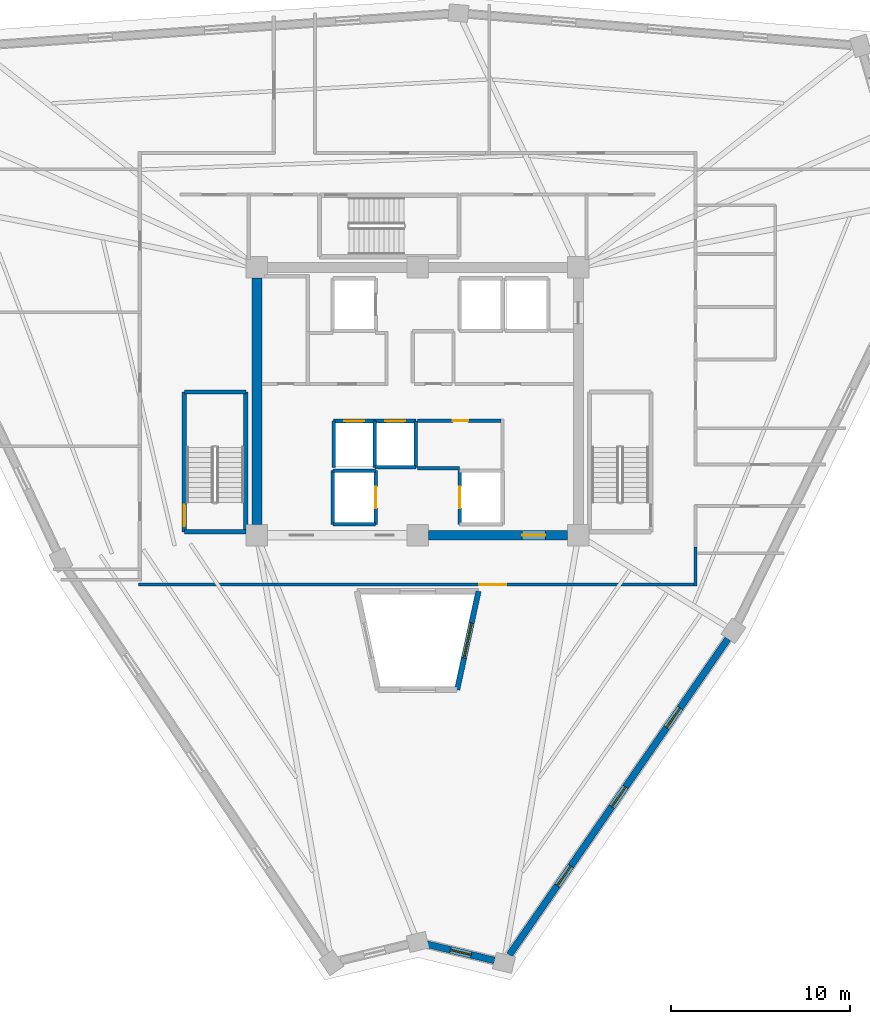
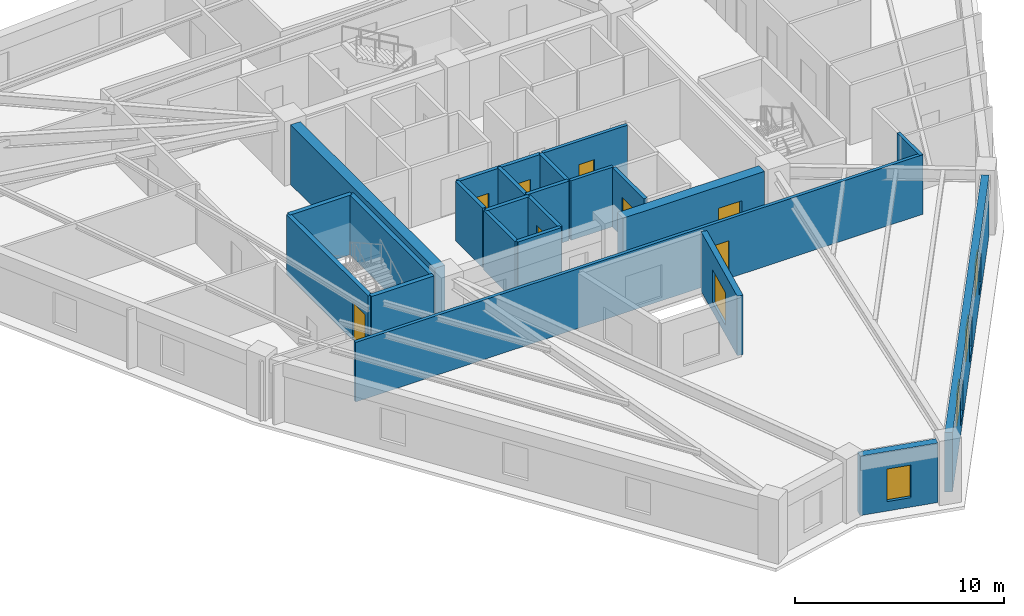
# One storey, part 3 of 8: 24 walls, 8 doors, 5 windows, 13 openings.
"""IFC4 building model written with IfcOpenShell, lengths in metres."""

import ifcopenshell
import ifcopenshell.guid

model = None  # the IFC model being written
_history = None  # IfcOwnerHistory: only IFC2X3 demands one
_inside = {}  # id of a spatial element -> (the spatial element, [elements in it])
_under = {}  # id of a project, library or spatial element -> (it, [spatial elements below it])
_declared = {}  # id of a project -> (the project, [libraries it declares])
_typed = {}  # id of a type object -> (the type object, [elements of that type])
_made_of = {}  # id of a material, layer set ... -> (it, [elements and type objects made of it])


def new_model(schema):
    """Start an empty IFC model of exactly this schema.

    Asked for "IFC4X3", IfcOpenShell would pick the latest addendum, in which some entities
    have other attributes; the version numbers below select the first issue.
    IFC2X3 requires an IfcOwnerHistory on every rooted entity: one is made here for all.
    """
    global model, _history
    if schema == "IFC4X3":
        model = ifcopenshell.file(schema_version=(4, 3, 0, 0))
    else:
        model = ifcopenshell.file(schema=schema)
    _inside.clear()
    _under.clear()
    _declared.clear()
    _typed.clear()
    _made_of.clear()
    _history = None
    if model.schema == "IFC2X3":
        org = make("IfcOrganization", Name="unknown")
        user = make(
            "IfcPersonAndOrganization",
            ThePerson=make("IfcPerson", FamilyName="unknown"),
            TheOrganization=org,
        )
        app = make(
            "IfcApplication",
            ApplicationDeveloper=org,
            Version="unknown",
            ApplicationFullName="unknown",
            ApplicationIdentifier="unknown",
        )
        _history = make(
            "IfcOwnerHistory",
            OwningUser=user,
            OwningApplication=app,
            ChangeAction="ADDED",
            CreationDate=0,
        )
    return model


def make(cls, **values):
    """One entity of the class cls with the attributes given. An attribute that is None is left unset."""
    return model.create_entity(
        cls, **{name: value for name, value in values.items() if value is not None}
    )


def rooted(cls, **values):
    """An entity with a GlobalId (a new one), such as an element, a storey or a relation."""
    return make(cls, GlobalId=ifcopenshell.guid.new(), OwnerHistory=_history, **values)


def si_unit(unit_type, name, prefix=None):
    """IfcSIUnit, for example si_unit("LENGTHUNIT", "METRE", prefix="MILLI")."""
    return make("IfcSIUnit", UnitType=unit_type, Prefix=prefix, Name=name)


def assignment(units):
    """IfcUnitAssignment: the units of a project."""
    return None if units is None else make("IfcUnitAssignment", Units=units)


def point(xyz):
    """IfcCartesianPoint."""
    return None if xyz is None else make("IfcCartesianPoint", Coordinates=xyz)


def direction(xyz):
    """IfcDirection."""
    return None if xyz is None else make("IfcDirection", DirectionRatios=xyz)


def frame(location, z_axis=None, x_axis=None):
    """IfcAxis2Placement3D, a coordinate frame: its origin and axes. An axis left out is left unset."""
    return make(
        "IfcAxis2Placement3D",
        Location=point(location),
        Axis=direction(z_axis),
        RefDirection=direction(x_axis),
    )


def frame_2d(location, x_axis=None):
    """IfcAxis2Placement2D, a coordinate frame in the plane: its origin and x axis."""
    return make(
        "IfcAxis2Placement2D", Location=point(location), RefDirection=direction(x_axis)
    )


def origin():
    """The frame at (0, 0, 0) with its axes left unset."""
    return frame((0.0, 0.0, 0.0))


def place(relative_to, where):
    """IfcLocalPlacement: puts the frame where relative to a parent placement (None: the world)."""
    return make(
        "IfcLocalPlacement", PlacementRelTo=relative_to, RelativePlacement=where
    )


def context(
    kind, dimensions, precision=None, world=None, true_north=None, identifier=None
):
    """IfcGeometricRepresentationContext, for example the 3D "Model" context."""
    return make(
        "IfcGeometricRepresentationContext",
        ContextIdentifier=identifier,
        ContextType=kind,
        CoordinateSpaceDimension=dimensions,
        Precision=precision,
        WorldCoordinateSystem=world,
        TrueNorth=true_north,
    )


def subcontext(parent, identifier, kind, view, scale=None):
    """IfcGeometricRepresentationSubContext, for example "Body" below "Model"."""
    return make(
        "IfcGeometricRepresentationSubContext",
        ContextIdentifier=identifier,
        ContextType=kind,
        ParentContext=parent,
        TargetScale=scale,
        TargetView=view,
    )


def project(units=None, contexts=None):
    """IfcProject with its units and contexts."""
    return rooted(
        "IfcProject",
        Name="project",
        RepresentationContexts=contexts,
        UnitsInContext=assignment(units),
    )


def spatial(cls, under=None, at=None, **own):
    """A site, building, storey or space (cls), placed at a placement, below another one or the project."""
    s = rooted(cls, ObjectPlacement=at, **own)
    if under is not None:
        _under.setdefault(under.id(), (under, []))[1].append(s)
    return s


def profile(cls, at=None, kind="AREA", **sizes):
    """A parametric profile (cls). Its sizes go by their IFC names, for example OverallWidth=200.0."""
    return make(cls, ProfileType=kind, Position=at, **sizes)


def rectangle(**sizes):
    """IfcRectangleProfileDef."""
    return profile("IfcRectangleProfileDef", **sizes)


def extrude(swept, where, along, depth):
    """IfcExtrudedAreaSolid: the profile swept, set in the frame where, extruded along a direction by depth."""
    return make(
        "IfcExtrudedAreaSolid",
        SweptArea=swept,
        Position=where,
        ExtrudedDirection=direction(along),
        Depth=depth,
    )


def shape(context_of_items, identifier, shape_type, items):
    """IfcShapeRepresentation: the items that make up one representation, for example the "Body"."""
    return make(
        "IfcShapeRepresentation",
        ContextOfItems=context_of_items,
        RepresentationIdentifier=identifier,
        RepresentationType=shape_type,
        Items=items,
    )


def source(mapping_origin, context_of_items, identifier, shape_type, items):
    """IfcRepresentationMap: a shape defined once, which mapped items show again and again."""
    return make(
        "IfcRepresentationMap",
        MappingOrigin=mapping_origin,
        MappedRepresentation=shape(context_of_items, identifier, shape_type, items),
    )


def transform(
    local_origin,
    x_axis=None,
    y_axis=None,
    z_axis=None,
    scale=None,
    scale2=None,
    scale3=None,
    uniform=True,
):
    """IfcCartesianTransformationOperator3D, or its non-uniform kind. x_axis, y_axis, z_axis: its Axis1, 2, 3."""
    if uniform:
        return make(
            "IfcCartesianTransformationOperator3D",
            Axis1=direction(x_axis),
            Axis2=direction(y_axis),
            LocalOrigin=point(local_origin),
            Scale=scale,
            Axis3=direction(z_axis),
        )
    return make(
        "IfcCartesianTransformationOperator3DnonUniform",
        Axis1=direction(x_axis),
        Axis2=direction(y_axis),
        LocalOrigin=point(local_origin),
        Scale=scale,
        Axis3=direction(z_axis),
        Scale2=scale2,
        Scale3=scale3,
    )


def mapped(mapping_source, mapping_target):
    """IfcMappedItem: shows the shape of a source again, moved by a transform."""
    return make(
        "IfcMappedItem", MappingSource=mapping_source, MappingTarget=mapping_target
    )


def material(Name=None, Category=None):
    """IfcMaterial."""
    return make("IfcMaterial", Name=Name, Category=Category)


def layer(
    of_material, thickness, ventilated=None, Name=None, Category=None, Priority=None
):
    """IfcMaterialLayer: one layer of a wall or slab, of a material (None: an air gap)."""
    return make(
        "IfcMaterialLayer",
        Material=of_material,
        LayerThickness=thickness,
        IsVentilated=ventilated,
        Name=Name,
        Category=Category,
        Priority=Priority,
    )


def layer_set(layers, Name=None):
    """IfcMaterialLayerSet."""
    return make("IfcMaterialLayerSet", MaterialLayers=layers, LayerSetName=Name)


def made_of(thing, what):
    """Note that an element or type object is made of a material, layer set ...; save() writes the relation."""
    if what is not None:
        _made_of.setdefault(what.id(), (what, []))[1].append(thing)
    return thing


def type_object(cls, material=None, **own):
    """A type object (cls), such as IfcWallType, which elements share."""
    return made_of(rooted(cls, **own), material)


def element(
    cls,
    number,
    at=None,
    inside=None,
    cuts=None,
    type_object=None,
    material=None,
    context=None,
    identifier="Body",
    shape_type=None,
    held_by="IfcProductDefinitionShape",
    body=None,
    shapes=None,
    **own,
):
    """One element of the class cls, such as IfcWall. Its Tag is "e" and its number.

    at: its placement. inside: the storey or other place that contains it. cuts: it is an
    opening in that element (IfcRelVoidsElement). A single representation is given by context,
    identifier, shape_type and body (its items); several are given by shapes. held_by: the class
    of the entity that holds the representations. save() writes the other relations.
    """
    e = rooted(cls, Tag="e%d" % number, ObjectPlacement=at, **own)
    if body is not None:
        shapes = [shape(context, identifier, shape_type, body)]
    if shapes is not None:
        e.Representation = make(held_by, Representations=shapes)
    if inside is not None:
        _inside.setdefault(inside.id(), (inside, []))[1].append(e)
    if cuts is not None:
        rooted(
            "IfcRelVoidsElement", RelatingBuildingElement=cuts, RelatedOpeningElement=e
        )
    if type_object is not None:
        _typed.setdefault(type_object.id(), (type_object, []))[1].append(e)
    return made_of(e, material)


def fill(opening, filler):
    """IfcRelFillsElement: the door or window that sits in an opening."""
    return rooted(
        "IfcRelFillsElement",
        RelatingOpeningElement=opening,
        RelatedBuildingElement=filler,
    )


def aggregate(whole, parts):
    """IfcRelAggregates: a whole, such as a stair, and the parts it consists of."""
    return rooted("IfcRelAggregates", RelatingObject=whole, RelatedObjects=parts)


def save(model, path):
    """Write the relations noted so far, then the file.

    IfcRelAggregates (storeys below a building ...), IfcRelContainedInSpatialStructure (elements
    in a storey), IfcRelDefinesByType, IfcRelAssociatesMaterial and IfcRelDeclares: one each for
    every whole, place, type object, material and project.
    """
    for whole, parts in _under.values():
        aggregate(whole, parts)
    for where, things in _inside.values():
        rooted(
            "IfcRelContainedInSpatialStructure",
            RelatedElements=things,
            RelatingStructure=where,
        )
    for kind, things in _typed.values():
        rooted("IfcRelDefinesByType", RelatedObjects=things, RelatingType=kind)
    for what, things in _made_of.values():
        rooted("IfcRelAssociatesMaterial", RelatedObjects=things, RelatingMaterial=what)
    for by, libraries in _declared.values():
        rooted("IfcRelDeclares", RelatingContext=by, RelatedDefinitions=libraries)
    model.write(path)


model = new_model("IFC4")

# Units and contexts
model_context = context("Model", 3, precision=1e-05, world=origin(), true_north=direction((0.0, 1.0)))
body_context = subcontext(model_context, "Body", "Model", "MODEL_VIEW")
ifc_project = project(units=[si_unit("LENGTHUNIT", "METRE"), si_unit("AREAUNIT", "SQUARE_METRE"), si_unit("VOLUMEUNIT", "CUBIC_METRE"), si_unit("PLANEANGLEUNIT", "RADIAN"), si_unit("MASSUNIT", "GRAM", prefix="KILO")], contexts=[model_context])

# Site, building, storey
site_placement = place(None, origin())
site = spatial("IfcSite", under=ifc_project, at=site_placement, CompositionType="ELEMENT")
building_placement = place(site_placement, origin())
building = spatial("IfcBuilding", under=site, at=building_placement, Name="Liaohun Quay Tower", CompositionType="ELEMENT")
storey_placement = place(building_placement, frame((0.0, 0.0, 320.25)))
storey = spatial("IfcBuildingStorey", under=building, at=storey_placement, Name="L83", CompositionType="ELEMENT", Elevation=320.25)

# Wall, opening, window
ifc_material_1 = material(Name="Concrete C50", Category="concrete")
ifc_layer_1 = layer(ifc_material_1, 0.300048828125, Name="Concrete C50", Category="concrete")
ifc_layer_set_1 = layer_set([ifc_layer_1], Name="Concrete C50")
wall_type_1 = type_object("IfcWallType", Name="WAL-ATR-300", PredefinedType="SOLIDWALL", material=ifc_layer_set_1)
wall_1_placement = place(storey_placement, frame((63.406982421875, 43.3701171875, 0.0), z_axis=(0.0, 0.0, 1.0), x_axis=(-0.211402055263, -0.977399187144, 0.0)))
wall_1 = element("IfcWall", 1, at=wall_1_placement, inside=storey, type_object=wall_type_1, Name="L83 Atrium Fire Compartment Wall 3", PredefinedType="SOLIDWALL", context=body_context, shape_type="SweptSolid", body=[
    extrude(rectangle(XDim=5.642578125, YDim=0.300048828125, at=frame_2d((2.8212890625, 0.0))), origin(), (0.0, 0.0, 1.0), 3.469970703125),
])
shared_shape_1 = source(origin(), body_context, "Body", "SweptSolid", [
    extrude(rectangle(XDim=2.0, YDim=1.89990234375, at=frame_2d((1.0, 0.949951171875))), frame((0.0, 0.159912109375, 0.0), z_axis=(0.0, -1.0, 0.0), x_axis=(1.0, 0.0, 0.0)), (0.0, 0.0, 1.0), 0.320068359375),
])
opening_1_placement = place(wall_1_placement, frame((1.821044921875, 0.0, 0.550048828125)))
opening_1 = element("IfcOpeningElement", 2, at=opening_1_placement, cuts=wall_1, Name="Opening W07", PredefinedType="OPENING", context=body_context, shape_type="MappedRepresentation", body=[
    mapped(shared_shape_1, transform((0.0, 0.0, 0.0), x_axis=(1.0, 0.0, 0.0), y_axis=(0.0, 1.0, 0.0), z_axis=(0.0, 0.0, 1.0), scale=1.0)),
])
ifc_material_2 = material(Name="Class A 180-min fire-resistant insulated glazing", Category="glass")
window_type_1 = type_object("IfcWindowType", Name="WIN-ATR-FIR", PartitioningType="DOUBLE_PANEL_VERTICAL", PredefinedType="WINDOW", material=ifc_material_2)
shared_shape_2 = source(origin(), body_context, "Body", "SweptSolid", [
    extrude(rectangle(XDim=2.0, YDim=1.89990234375, at=frame_2d((1.0, 0.949951171875))), frame((0.0, 0.030029296875, 0.0), z_axis=(0.0, -1.0, 0.0), x_axis=(1.0, 0.0, 0.0)), (0.0, 0.0, 1.0), 0.06005859375),
])
window_1_placement = place(opening_1_placement, origin())
window_1 = element("IfcWindow", 3, at=window_1_placement, inside=storey, type_object=window_type_1, Name="L83 Atrium Fire-Resistant Glazing W07-3", OverallHeight=1.89990234375, OverallWidth=2.0, PartitioningType="DOUBLE_PANEL_VERTICAL", PredefinedType="WINDOW", context=body_context, shape_type="MappedRepresentation", body=[
    mapped(shared_shape_2, transform((0.0, 0.0, 0.0), x_axis=(1.0, 0.0, 0.0), y_axis=(0.0, 1.0, 0.0), z_axis=(0.0, 0.0, 1.0), scale=1.0)),
])
fill(opening_1, window_1)

# Wall, opening, door
ifc_layer_2 = layer(ifc_material_1, 0.550048828125, Name="Concrete C50", Category="concrete")
ifc_layer_set_2 = layer_set([ifc_layer_2], Name="Concrete C50")
wall_type_2 = type_object("IfcWallType", Name="WAL-COR-Z4", PredefinedType="SHEAR", material=ifc_layer_set_2)
wall_2_placement = place(storey_placement, frame((68.39990234375, 46.5, 0.0), z_axis=(0.0, 0.0, 1.0), x_axis=(-1.0, 0.0, 0.0)))
wall_2 = element("IfcWall", 4, at=wall_2_placement, inside=storey, type_object=wall_type_2, Name="L83 Central Core Shear Wall S-E", PredefinedType="SHEAR", context=body_context, shape_type="SweptSolid", body=[
    extrude(rectangle(XDim=7.7998046875, YDim=0.550048828125, at=frame_2d((3.89990234375, 0.0))), origin(), (0.0, 0.0, 1.0), 3.469970703125),
])
shared_shape_3 = source(origin(), body_context, "Body", "SweptSolid", [
    extrude(rectangle(XDim=1.300048828125, YDim=2.199951171875, at=frame_2d((0.64990234375, 1.10009765625))), frame((0.0, 0.284912109375, 0.0), z_axis=(0.0, -1.0, 0.0), x_axis=(1.0, 0.0, 0.0)), (0.0, 0.0, 1.0), 0.570068359375),
])
opening_2_placement = place(wall_2_placement, frame((1.25, 0.0, 0.0)))
opening_2 = element("IfcOpeningElement", 5, at=opening_2_placement, cuts=wall_2, Name="Opening FD1", PredefinedType="OPENING", context=body_context, shape_type="MappedRepresentation", body=[
    mapped(shared_shape_3, transform((0.0, 0.0, 0.0), x_axis=(1.0, 0.0, 0.0), y_axis=(0.0, 1.0, 0.0), z_axis=(0.0, 0.0, 1.0), scale=1.0)),
])
ifc_material_3 = material(Name="Galvanised steel smokeproof fire door", Category="steel")
door_type_1 = type_object("IfcDoorType", Name="DOR-FFL-1300", OperationType="NOTDEFINED", PredefinedType="DOOR", material=ifc_material_3)
shared_shape_4 = source(origin(), body_context, "Body", "SweptSolid", [
    extrude(rectangle(XDim=1.300048828125, YDim=2.199951171875, at=frame_2d((0.64990234375, 1.10009765625))), frame((0.0, 0.02490234375, 0.0), z_axis=(0.0, -1.0, 0.0), x_axis=(1.0, 0.0, 0.0)), (0.0, 0.0, 1.0), 0.050048828125),
])
door_1_placement = place(opening_2_placement, origin())
door_1 = element("IfcDoor", 6, at=door_1_placement, inside=storey, type_object=door_type_1, Name="L83 East Core Lift Lobby Smokeproof Door", OperationType="SINGLE_SWING_LEFT", OverallHeight=2.199951171875, OverallWidth=1.300048828125, PredefinedType="DOOR", context=body_context, shape_type="MappedRepresentation", body=[
    mapped(shared_shape_4, transform((0.0, 0.0, 0.0), x_axis=(1.0, 0.0, 0.0), y_axis=(0.0, 1.0, 0.0), z_axis=(0.0, 0.0, 1.0), scale=1.0)),
])
fill(opening_2, door_1)

# Wall
wall_3_placement = place(storey_placement, frame((51.0, 47.10009765625, 0.0), z_axis=(0.0, 0.0, 1.0), x_axis=(0.0, 1.0, 0.0)))
element("IfcWall", 7, at=wall_3_placement, inside=storey, type_object=wall_type_2, Name="L83 Central Core Shear Wall W", PredefinedType="SHEAR", context=body_context, shape_type="SweptSolid", body=[
    extrude(rectangle(XDim=13.7998046875, YDim=0.550048828125, at=frame_2d((6.89990234375, 0.0))), origin(), (0.0, 0.0, 1.0), 3.469970703125),
])

# Wall, opening, window
ifc_material_4 = material(Name="Precast concrete C50 insulated sandwich", Category="concrete")
ifc_layer_3 = layer(ifc_material_4, 0.3798828125, Name="Precast concrete C50 insulated sandwich", Category="concrete")
ifc_layer_set_3 = layer_set([ifc_layer_3], Name="Precast concrete C50 insulated sandwich")
wall_type_3 = type_object("IfcWallType", Name="WAL-EXT-Z34", PredefinedType="SOLIDWALL", material=ifc_layer_set_3)
wall_4_placement = place(storey_placement, frame((60.52490234375, 23.60791015625, 0.0), z_axis=(0.0, 0.0, 1.0), x_axis=(0.972128597502, -0.234448267041, 0.0)))
wall_4 = element("IfcWall", 8, at=wall_4_placement, inside=storey, type_object=wall_type_3, Name="L83 Brutalist Precast Pier Wall 01", PredefinedType="SOLIDWALL", context=body_context, shape_type="SweptSolid", body=[
    extrude(rectangle(XDim=3.889404296875, YDim=0.3798828125, at=frame_2d((1.94482421875, 0.0))), origin(), (0.0, 0.0, 1.0), 3.469970703125),
])
shared_shape_5 = source(origin(), body_context, "Body", "SweptSolid", [
    extrude(rectangle(XDim=1.199951171875, YDim=1.89990234375, at=frame_2d((0.60009765625, 0.949951171875))), frame((0.0, 0.199951171875, 0.0), z_axis=(0.0, -1.0, 0.0), x_axis=(1.0, 0.0, 0.0)), (0.0, 0.0, 1.0), 0.39990234375),
])
opening_3_placement = place(wall_4_placement, frame((1.344970703125, 0.0, 0.550048828125)))
opening_3 = element("IfcOpeningElement", 9, at=opening_3_placement, cuts=wall_4, Name="Opening W05", PredefinedType="OPENING", context=body_context, shape_type="MappedRepresentation", body=[
    mapped(shared_shape_5, transform((0.0, 0.0, 0.0), x_axis=(1.0, 0.0, 0.0), y_axis=(0.0, 1.0, 0.0), z_axis=(0.0, 0.0, 1.0), scale=1.0)),
])
ifc_material_5 = material(Name="Triple Low-E corner notch glazing", Category="glass")
window_type_2 = type_object("IfcWindowType", Name="WIN-NOTCH", PartitioningType="SINGLE_PANEL", PredefinedType="WINDOW", material=ifc_material_5)
shared_shape_6 = source(origin(), body_context, "Body", "SweptSolid", [
    extrude(rectangle(XDim=1.199951171875, YDim=1.89990234375, at=frame_2d((0.60009765625, 0.949951171875))), frame((0.0, 0.030029296875, 0.0), z_axis=(0.0, -1.0, 0.0), x_axis=(1.0, 0.0, 0.0)), (0.0, 0.0, 1.0), 0.06005859375),
])
window_2_placement = place(opening_3_placement, origin())
window_2 = element("IfcWindow", 10, at=window_2_placement, inside=storey, type_object=window_type_2, Name="L83 Corner Notch Window W05-01", OverallHeight=1.89990234375, OverallWidth=1.199951171875, PartitioningType="SINGLE_PANEL", PredefinedType="WINDOW", context=body_context, shape_type="MappedRepresentation", body=[
    mapped(shared_shape_6, transform((0.0, 0.0, 0.0), x_axis=(1.0, 0.0, 0.0), y_axis=(0.0, 1.0, 0.0), z_axis=(0.0, 0.0, 1.0), scale=1.0)),
])
fill(opening_3, window_2)

# Wall, openings, windows
wall_5_placement = place(storey_placement, frame((65.137939453125, 23.012939453125, 0.0), z_axis=(0.0, 0.0, 1.0), x_axis=(0.568685875627, 0.822554785326, 0.0)))
wall_5 = element("IfcWall", 11, at=wall_5_placement, inside=storey, type_object=wall_type_3, Name="L83 Brutalist Precast Pier Wall 02", PredefinedType="SOLIDWALL", context=body_context, shape_type="SweptSolid", body=[
    extrude(rectangle(XDim=21.5146484375, YDim=0.3798828125, at=frame_2d((10.75732421875, 0.0))), origin(), (0.0, 0.0, 1.0), 3.469970703125),
])
shared_shape_7 = source(origin(), body_context, "Body", "SweptSolid", [
    extrude(rectangle(XDim=1.35009765625, YDim=1.85009765625, at=frame_2d((0.675048828125, 0.925048828125))), frame((0.0, 0.199951171875, 0.0), z_axis=(0.0, -1.0, 0.0), x_axis=(1.0, 0.0, 0.0)), (0.0, 0.0, 1.0), 0.39990234375),
])
opening_4_placement = place(wall_5_placement, frame((4.7041015625, 0.0, 0.550048828125)))
opening_4 = element("IfcOpeningElement", 12, at=opening_4_placement, cuts=wall_5, Name="Opening W04", PredefinedType="OPENING", context=body_context, shape_type="MappedRepresentation", body=[
    mapped(shared_shape_7, transform((0.0, 0.0, 0.0), x_axis=(1.0, 0.0, 0.0), y_axis=(0.0, 1.0, 0.0), z_axis=(0.0, 0.0, 1.0), scale=1.0)),
])
opening_5_placement = place(wall_5_placement, frame((10.08203125, 0.0, 0.550048828125)))
opening_5 = element("IfcOpeningElement", 13, at=opening_5_placement, cuts=wall_5, Name="Opening W04", PredefinedType="OPENING", context=body_context, shape_type="MappedRepresentation", body=[
    mapped(shared_shape_7, transform((0.0, 0.0, 0.0), x_axis=(1.0, 0.0, 0.0), y_axis=(0.0, 1.0, 0.0), z_axis=(0.0, 0.0, 1.0), scale=1.0)),
])
opening_6_placement = place(wall_5_placement, frame((15.4609375, 0.0, 0.550048828125)))
opening_6 = element("IfcOpeningElement", 14, at=opening_6_placement, cuts=wall_5, Name="Opening W04", PredefinedType="OPENING", context=body_context, shape_type="MappedRepresentation", body=[
    mapped(shared_shape_7, transform((0.0, 0.0, 0.0), x_axis=(1.0, 0.0, 0.0), y_axis=(0.0, 1.0, 0.0), z_axis=(0.0, 0.0, 1.0), scale=1.0)),
])
ifc_material_6 = material(Name="Triple Low-E argon glazing in thermally broken aluminium", Category="aluminium")
window_type_3 = type_object("IfcWindowType", Name="WIN-PUN-Z4", PartitioningType="SINGLE_PANEL", PredefinedType="WINDOW", material=ifc_material_6)
shared_shape_8 = source(origin(), body_context, "Body", "SweptSolid", [
    extrude(rectangle(XDim=1.35009765625, YDim=1.85009765625, at=frame_2d((0.675048828125, 0.925048828125))), frame((0.0, 0.030029296875, 0.0), z_axis=(0.0, -1.0, 0.0), x_axis=(1.0, 0.0, 0.0)), (0.0, 0.0, 1.0), 0.06005859375),
])
window_3_placement = place(opening_4_placement, origin())
window_3 = element("IfcWindow", 15, at=window_3_placement, inside=storey, type_object=window_type_3, Name="L83 Recessed Cold-Climate Punched Window 02-1", OverallHeight=1.85009765625, OverallWidth=1.35009765625, PartitioningType="SINGLE_PANEL", PredefinedType="WINDOW", context=body_context, shape_type="MappedRepresentation", body=[
    mapped(shared_shape_8, transform((0.0, 0.0, 0.0), x_axis=(1.0, 0.0, 0.0), y_axis=(0.0, 1.0, 0.0), z_axis=(0.0, 0.0, 1.0), scale=1.0)),
])
fill(opening_4, window_3)
window_4_placement = place(opening_5_placement, origin())
window_4 = element("IfcWindow", 16, at=window_4_placement, inside=storey, type_object=window_type_3, Name="L83 Recessed Cold-Climate Punched Window 02-2", OverallHeight=1.85009765625, OverallWidth=1.35009765625, PartitioningType="SINGLE_PANEL", PredefinedType="WINDOW", context=body_context, shape_type="MappedRepresentation", body=[
    mapped(shared_shape_8, transform((0.0, 0.0, 0.0), x_axis=(1.0, 0.0, 0.0), y_axis=(0.0, 1.0, 0.0), z_axis=(0.0, 0.0, 1.0), scale=1.0)),
])
fill(opening_5, window_4)
window_5_placement = place(opening_6_placement, origin())
window_5 = element("IfcWindow", 17, at=window_5_placement, inside=storey, type_object=window_type_3, Name="L83 Recessed Cold-Climate Punched Window 02-3", OverallHeight=1.85009765625, OverallWidth=1.35009765625, PartitioningType="SINGLE_PANEL", PredefinedType="WINDOW", context=body_context, shape_type="MappedRepresentation", body=[
    mapped(shared_shape_8, transform((0.0, 0.0, 0.0), x_axis=(1.0, 0.0, 0.0), y_axis=(0.0, 1.0, 0.0), z_axis=(0.0, 0.0, 1.0), scale=1.0)),
])
fill(opening_6, window_5)

# Wall, opening, door
ifc_material_7 = material(Name="Autoclaved aerated concrete blockwork", Category="masonry")
ifc_layer_4 = layer(ifc_material_7, 0.179931640625, Name="Autoclaved aerated concrete blockwork", Category="masonry")
ifc_layer_set_4 = layer_set([ifc_layer_4], Name="Autoclaved aerated concrete blockwork")
wall_type_4 = type_object("IfcWallType", Name="WAL-PRT-COR", PredefinedType="PARTITIONING", material=ifc_layer_set_4)
wall_6_placement = place(storey_placement, frame((60.0, 52.919921875, 0.0), z_axis=(0.0, 0.0, 1.0), x_axis=(1.0, 0.0, 0.0)))
wall_6 = element("IfcWall", 18, at=wall_6_placement, inside=storey, type_object=wall_type_4, Name="L83 Interior Partition Wall 001", PredefinedType="PARTITIONING", context=body_context, shape_type="SweptSolid", body=[
    extrude(rectangle(XDim=4.659912109375, YDim=0.179931640625, at=frame_2d((2.330078125, 0.0))), origin(), (0.0, 0.0, 1.0), 3.469970703125),
])
shared_shape_9 = source(origin(), body_context, "Body", "SweptSolid", [
    extrude(rectangle(XDim=0.85009765625, YDim=2.10009765625, at=frame_2d((0.425048828125, 1.050048828125))), frame((0.0, 0.099853515625, 0.0), z_axis=(0.0, -1.0, 0.0), x_axis=(1.0, 0.0, 0.0)), (0.0, 0.0, 1.0), 0.199951171875),
])
opening_7_placement = place(wall_6_placement, frame((1.97509765625, 0.0, 0.0)))
opening_7 = element("IfcOpeningElement", 19, at=opening_7_placement, cuts=wall_6, Name="Opening AD1", PredefinedType="OPENING", context=body_context, shape_type="MappedRepresentation", body=[
    mapped(shared_shape_9, transform((0.0, 0.0, 0.0), x_axis=(1.0, 0.0, 0.0), y_axis=(0.0, 1.0, 0.0), z_axis=(0.0, 0.0, 1.0), scale=1.0)),
])
ifc_material_8 = material(Name="Steel riser inspection fire door", Category="steel")
door_type_2 = type_object("IfcDoorType", Name="DOR-SHF-850", OperationType="NOTDEFINED", PredefinedType="DOOR", material=ifc_material_8)
shared_shape_10 = source(origin(), body_context, "Body", "SweptSolid", [
    extrude(rectangle(XDim=0.85009765625, YDim=2.10009765625, at=frame_2d((0.425048828125, 1.050048828125))), frame((0.0, 0.02490234375, 0.0), z_axis=(0.0, -1.0, 0.0), x_axis=(1.0, 0.0, 0.0)), (0.0, 0.0, 1.0), 0.050048828125),
])
door_2_placement = place(opening_7_placement, origin())
door_2 = element("IfcDoor", 20, at=door_2_placement, inside=storey, type_object=door_type_2, Name="L83 Core High-Zone BMS and Switch Room Door", OperationType="SINGLE_SWING_RIGHT", OverallHeight=2.10009765625, OverallWidth=0.85009765625, PredefinedType="DOOR", context=body_context, shape_type="MappedRepresentation", body=[
    mapped(shared_shape_10, transform((0.0, 0.0, 0.0), x_axis=(1.0, 0.0, 0.0), y_axis=(0.0, 1.0, 0.0), z_axis=(0.0, 0.0, 1.0), scale=1.0)),
])
fill(opening_7, door_2)

wall_7_placement = place(storey_placement, frame((75.6298828125, 43.739990234375, 0.0), z_axis=(0.0, 0.0, 1.0), x_axis=(-1.0, 0.0, 0.0)))
wall_7 = element("IfcWall", 21, at=wall_7_placement, inside=storey, type_object=wall_type_4, Name="L83 Interior Partition Wall 020", PredefinedType="PARTITIONING", context=body_context, shape_type="SweptSolid", body=[
    extrude(rectangle(XDim=31.259765625, YDim=0.179931640625, at=frame_2d((15.6298828125, 0.0))), origin(), (0.0, 0.0, 1.0), 3.469970703125),
])
shared_shape_11 = source(origin(), body_context, "Body", "SweptSolid", [
    extrude(rectangle(XDim=1.5, YDim=2.199951171875, at=frame_2d((0.75, 1.10009765625))), frame((0.0, 0.099853515625, 0.0), z_axis=(0.0, -1.0, 0.0), x_axis=(1.0, 0.0, 0.0)), (0.0, 0.0, 1.0), 0.199951171875),
])
opening_8_placement = place(wall_7_placement, frame((10.679931640625, 0.0, 0.0)))
opening_8 = element("IfcOpeningElement", 22, at=opening_8_placement, cuts=wall_7, Name="Opening OD2", PredefinedType="OPENING", context=body_context, shape_type="MappedRepresentation", body=[
    mapped(shared_shape_11, transform((0.0, 0.0, 0.0), x_axis=(1.0, 0.0, 0.0), y_axis=(0.0, 1.0, 0.0), z_axis=(0.0, 0.0, 1.0), scale=1.0)),
])
ifc_material_9 = material(Name="Acoustic oak veneer double door")
door_type_3 = type_object("IfcDoorType", Name="DOR-OFF-1500", OperationType="DOUBLE_DOOR_SINGLE_SWING", PredefinedType="DOOR", material=ifc_material_9)
shared_shape_12 = source(origin(), body_context, "Body", "SweptSolid", [
    extrude(rectangle(XDim=1.5, YDim=2.199951171875, at=frame_2d((0.75, 1.10009765625))), frame((0.0, 0.02490234375, 0.0), z_axis=(0.0, -1.0, 0.0), x_axis=(1.0, 0.0, 0.0)), (0.0, 0.0, 1.0), 0.050048828125),
])
door_3_placement = place(opening_8_placement, origin())
door_3 = element("IfcDoor", 23, at=door_3_placement, inside=storey, type_object=door_type_3, Name="L83 Client Collaboration Lounge 08 Door", OperationType="DOUBLE_DOOR_SINGLE_SWING", OverallHeight=2.199951171875, OverallWidth=1.5, PredefinedType="DOOR", context=body_context, shape_type="MappedRepresentation", body=[
    mapped(shared_shape_12, transform((0.0, 0.0, 0.0), x_axis=(1.0, 0.0, 0.0), y_axis=(0.0, 1.0, 0.0), z_axis=(0.0, 0.0, 1.0), scale=1.0)),
])
fill(opening_8, door_3)

# Walls
wall_8_placement = place(storey_placement, frame((75.56005859375, 45.8349609375, 0.0), z_axis=(0.0, 0.0, 1.0), x_axis=(0.0, -1.0, 0.0)))
element("IfcWall", 24, at=wall_8_placement, inside=storey, type_object=wall_type_4, Name="L83 Interior Partition Wall 038", PredefinedType="PARTITIONING", context=body_context, shape_type="SweptSolid", body=[
    extrude(rectangle(XDim=2.1650390625, YDim=0.179931640625, at=frame_2d((1.08251953125, 0.0))), origin(), (0.0, 0.0, 1.0), 3.469970703125),
])
wall_9_placement = place(storey_placement, frame((60.0, 50.25, 0.0), z_axis=(0.0, 0.0, 1.0), x_axis=(1.0, 0.0, 0.0)))
element("IfcWall", 25, at=wall_9_placement, inside=storey, type_object=wall_type_4, Name="L83 Interior Partition Wall 051", PredefinedType="PARTITIONING", context=body_context, shape_type="SweptSolid", body=[
    extrude(rectangle(XDim=2.35009765625, YDim=0.179931640625, at=frame_2d((1.175048828125, 0.0))), origin(), (0.0, 0.0, 1.0), 3.469970703125),
])
ifc_layer_5 = layer(ifc_material_1, 0.239990234375, Name="Concrete C50", Category="concrete")
ifc_layer_set_5 = layer_set([ifc_layer_5], Name="Concrete C50")
wall_type_5 = type_object("IfcWallType", Name="WAL-SHF-200", PredefinedType="SOLIDWALL", material=ifc_layer_set_5)
wall_10_placement = place(storey_placement, frame((46.93994140625, 46.699951171875, 0.0), z_axis=(0.0, 0.0, 1.0), x_axis=(1.0, 0.0, 0.0)))
element("IfcWall", 26, at=wall_10_placement, inside=storey, type_object=wall_type_5, Name="L83 Stairwell ST-1 Structural Core Wall S", PredefinedType="SOLIDWALL", context=body_context, shape_type="SweptSolid", body=[
    extrude(rectangle(XDim=3.43994140625, YDim=0.239990234375, at=frame_2d((1.719970703125, 0.0))), origin(), (0.0, 0.0, 1.0), 3.469970703125),
])
wall_11_placement = place(storey_placement, frame((50.3798828125, 46.699951171875, 0.0), z_axis=(0.0, 0.0, 1.0), x_axis=(0.0, 1.0, 0.0)))
element("IfcWall", 27, at=wall_11_placement, inside=storey, type_object=wall_type_5, Name="L83 Stairwell ST-1 Structural Core Wall E", PredefinedType="SOLIDWALL", context=body_context, shape_type="SweptSolid", body=[
    extrude(rectangle(XDim=7.820068359375, YDim=0.239990234375, at=frame_2d((3.91015625, 0.0))), origin(), (0.0, 0.0, 1.0), 3.469970703125),
])
wall_12_placement = place(storey_placement, frame((50.3798828125, 54.52001953125, 0.0), z_axis=(0.0, 0.0, 1.0), x_axis=(-1.0, 0.0, 0.0)))
element("IfcWall", 28, at=wall_12_placement, inside=storey, type_object=wall_type_5, Name="L83 Stairwell ST-1 Structural Core Wall N", PredefinedType="SOLIDWALL", context=body_context, shape_type="SweptSolid", body=[
    extrude(rectangle(XDim=3.43994140625, YDim=0.239990234375, at=frame_2d((1.719970703125, 0.0))), origin(), (0.0, 0.0, 1.0), 3.469970703125),
])

# Wall, opening, door
wall_13_placement = place(storey_placement, frame((46.93994140625, 54.52001953125, 0.0), z_axis=(0.0, 0.0, 1.0), x_axis=(0.0, -1.0, 0.0)))
wall_13 = element("IfcWall", 29, at=wall_13_placement, inside=storey, type_object=wall_type_5, Name="L83 Stairwell ST-1 Structural Core Wall W", PredefinedType="SOLIDWALL", context=body_context, shape_type="SweptSolid", body=[
    extrude(rectangle(XDim=7.820068359375, YDim=0.239990234375, at=frame_2d((3.91015625, 0.0))), origin(), (0.0, 0.0, 1.0), 3.469970703125),
])
shared_shape_13 = source(origin(), body_context, "Body", "SweptSolid", [
    extrude(rectangle(XDim=1.199951171875, YDim=2.199951171875, at=frame_2d((0.60009765625, 1.10009765625))), frame((0.0, 0.1298828125, 0.0), z_axis=(0.0, -1.0, 0.0), x_axis=(1.0, 0.0, 0.0)), (0.0, 0.0, 1.0), 0.260009765625),
])
opening_9_placement = place(wall_13_placement, frame((6.300048828125, 0.0, 0.0)))
opening_9 = element("IfcOpeningElement", 30, at=opening_9_placement, cuts=wall_13, Name="Opening SD1", PredefinedType="OPENING", context=body_context, shape_type="MappedRepresentation", body=[
    mapped(shared_shape_13, transform((0.0, 0.0, 0.0), x_axis=(1.0, 0.0, 0.0), y_axis=(0.0, 1.0, 0.0), z_axis=(0.0, 0.0, 1.0), scale=1.0)),
])
ifc_material_10 = material(Name="Galvanised steel fire door", Category="steel")
door_type_4 = type_object("IfcDoorType", Name="DOR-STR-1200", OperationType="NOTDEFINED", PredefinedType="DOOR", material=ifc_material_10)
shared_shape_14 = source(origin(), body_context, "Body", "SweptSolid", [
    extrude(rectangle(XDim=1.199951171875, YDim=2.199951171875, at=frame_2d((0.60009765625, 1.10009765625))), frame((0.0, 0.02490234375, 0.0), z_axis=(0.0, -1.0, 0.0), x_axis=(1.0, 0.0, 0.0)), (0.0, 0.0, 1.0), 0.050048828125),
])
door_4_placement = place(opening_9_placement, origin())
door_4 = element("IfcDoor", 31, at=door_4_placement, inside=storey, type_object=door_type_4, Name="L83 Protected Stair ST-1 Fire Door", OperationType="SINGLE_SWING_LEFT", OverallHeight=2.199951171875, OverallWidth=1.199951171875, PredefinedType="DOOR", context=body_context, shape_type="MappedRepresentation", body=[
    mapped(shared_shape_14, transform((0.0, 0.0, 0.0), x_axis=(1.0, 0.0, 0.0), y_axis=(0.0, 1.0, 0.0), z_axis=(0.0, 0.0, 1.0), scale=1.0)),
])
fill(opening_9, door_4)

# Wall
wall_14_placement = place(storey_placement, frame((55.25, 47.1201171875, 0.0), z_axis=(0.0, 0.0, 1.0), x_axis=(1.0, 0.0, 0.0)))
element("IfcWall", 32, at=wall_14_placement, inside=storey, type_object=wall_type_5, Name="L83 Lift FF-01 Hoistway Wall S", PredefinedType="SOLIDWALL", context=body_context, shape_type="SweptSolid", body=[
    extrude(rectangle(XDim=2.39990234375, YDim=0.199951171875, at=frame_2d((1.199951171875, 0.0))), origin(), (0.0, 0.0, 1.0), 3.469970703125),
])

# Wall, opening, door
wall_15_placement = place(storey_placement, frame((57.64990234375, 47.1201171875, 0.0), z_axis=(0.0, 0.0, 1.0), x_axis=(0.0, 1.0, 0.0)))
wall_15 = element("IfcWall", 33, at=wall_15_placement, inside=storey, type_object=wall_type_5, Name="L83 Lift FF-01 Hoistway Wall E", PredefinedType="SOLIDWALL", context=body_context, shape_type="SweptSolid", body=[
    extrude(rectangle(XDim=3.0, YDim=0.199951171875, at=frame_2d((1.5, 0.0))), origin(), (0.0, 0.0, 1.0), 3.469970703125),
])
shared_shape_15 = source(origin(), body_context, "Body", "SweptSolid", [
    extrude(rectangle(XDim=1.199951171875, YDim=2.300048828125, at=frame_2d((0.60009765625, 1.14990234375))), frame((0.0, 0.10986328125, 0.0), z_axis=(0.0, -1.0, 0.0), x_axis=(1.0, 0.0, 0.0)), (0.0, 0.0, 1.0), 0.219970703125),
])
opening_10_placement = place(wall_15_placement, frame((0.89990234375, 0.0, 0.0)))
opening_10 = element("IfcOpeningElement", 34, at=opening_10_placement, cuts=wall_15, Name="Opening LD2", PredefinedType="OPENING", context=body_context, shape_type="MappedRepresentation", body=[
    mapped(shared_shape_15, transform((0.0, 0.0, 0.0), x_axis=(1.0, 0.0, 0.0), y_axis=(0.0, 1.0, 0.0), z_axis=(0.0, 0.0, 1.0), scale=1.0)),
])
ifc_material_11 = material(Name="Brushed stainless steel stretcher landing door", Category="steel")
door_type_5 = type_object("IfcDoorType", Name="DOR-LFT-1200", OperationType="SLIDING_TO_LEFT", PredefinedType="DOOR", material=ifc_material_11)
shared_shape_16 = source(origin(), body_context, "Body", "SweptSolid", [
    extrude(rectangle(XDim=1.199951171875, YDim=2.300048828125, at=frame_2d((0.60009765625, 1.14990234375))), frame((0.0, 0.02490234375, 0.0), z_axis=(0.0, -1.0, 0.0), x_axis=(1.0, 0.0, 0.0)), (0.0, 0.0, 1.0), 0.050048828125),
])
door_5_placement = place(opening_10_placement, origin())
door_5 = element("IfcDoor", 35, at=door_5_placement, inside=storey, type_object=door_type_5, Name="L83 Lift FF-01 Sliding Landing Door", OperationType="SLIDING_TO_LEFT", OverallHeight=2.300048828125, OverallWidth=1.199951171875, PredefinedType="DOOR", context=body_context, shape_type="MappedRepresentation", body=[
    mapped(shared_shape_16, transform((0.0, 0.0, 0.0), x_axis=(1.0, 0.0, 0.0), y_axis=(0.0, 1.0, 0.0), z_axis=(0.0, 0.0, 1.0), scale=1.0)),
])
fill(opening_10, door_5)

# Walls
wall_16_placement = place(storey_placement, frame((57.64990234375, 50.1201171875, 0.0), z_axis=(0.0, 0.0, 1.0), x_axis=(-1.0, 0.0, 0.0)))
element("IfcWall", 36, at=wall_16_placement, inside=storey, type_object=wall_type_5, Name="L83 Lift FF-01 Hoistway Wall N", PredefinedType="SOLIDWALL", context=body_context, shape_type="SweptSolid", body=[
    extrude(rectangle(XDim=2.39990234375, YDim=0.199951171875, at=frame_2d((1.199951171875, 0.0))), origin(), (0.0, 0.0, 1.0), 3.469970703125),
])
wall_17_placement = place(storey_placement, frame((55.25, 50.1201171875, 0.0), z_axis=(0.0, 0.0, 1.0), x_axis=(0.0, -1.0, 0.0)))
element("IfcWall", 37, at=wall_17_placement, inside=storey, type_object=wall_type_5, Name="L83 Lift FF-01 Hoistway Wall W", PredefinedType="SOLIDWALL", context=body_context, shape_type="SweptSolid", body=[
    extrude(rectangle(XDim=3.0, YDim=0.199951171875, at=frame_2d((1.5, 0.0))), origin(), (0.0, 0.0, 1.0), 3.469970703125),
])

# Wall, opening, door
wall_18_placement = place(storey_placement, frame((62.35009765625, 50.1201171875, 0.0), z_axis=(0.0, 0.0, 1.0), x_axis=(0.0, -1.0, 0.0)))
wall_18 = element("IfcWall", 38, at=wall_18_placement, inside=storey, type_object=wall_type_5, Name="L83 Lift FF-02 Hoistway Wall W", PredefinedType="SOLIDWALL", context=body_context, shape_type="SweptSolid", body=[
    extrude(rectangle(XDim=3.0, YDim=0.199951171875, at=frame_2d((1.5, 0.0))), origin(), (0.0, 0.0, 1.0), 3.469970703125),
])
opening_11_placement = place(wall_18_placement, frame((0.89990234375, 0.0, 0.0)))
opening_11 = element("IfcOpeningElement", 39, at=opening_11_placement, cuts=wall_18, Name="Opening LD2", PredefinedType="OPENING", context=body_context, shape_type="MappedRepresentation", body=[
    mapped(shared_shape_15, transform((0.0, 0.0, 0.0), x_axis=(1.0, 0.0, 0.0), y_axis=(0.0, 1.0, 0.0), z_axis=(0.0, 0.0, 1.0), scale=1.0)),
])
door_6_placement = place(opening_11_placement, origin())
door_6 = element("IfcDoor", 40, at=door_6_placement, inside=storey, type_object=door_type_5, Name="L83 Lift FF-02 Sliding Landing Door", OperationType="SLIDING_TO_LEFT", OverallHeight=2.300048828125, OverallWidth=1.199951171875, PredefinedType="DOOR", context=body_context, shape_type="MappedRepresentation", body=[
    mapped(shared_shape_16, transform((0.0, 0.0, 0.0), x_axis=(1.0, 0.0, 0.0), y_axis=(0.0, 1.0, 0.0), z_axis=(0.0, 0.0, 1.0), scale=1.0)),
])
fill(opening_11, door_6)

# Wall
wall_19_placement = place(storey_placement, frame((57.60009765625, 50.300048828125, 0.0), z_axis=(0.0, 0.0, 1.0), x_axis=(0.0, 1.0, 0.0)))
element("IfcWall", 41, at=wall_19_placement, inside=storey, type_object=wall_type_5, Name="L83 Lift PL-4A Hoistway Wall E", PredefinedType="SOLIDWALL", context=body_context, shape_type="SweptSolid", body=[
    extrude(rectangle(XDim=2.599853515625, YDim=0.199951171875, at=frame_2d((1.2998046875, 0.0))), origin(), (0.0, 0.0, 1.0), 3.469970703125),
])

# Wall, opening, door
wall_20_placement = place(storey_placement, frame((57.60009765625, 52.89990234375, 0.0), z_axis=(0.0, 0.0, 1.0), x_axis=(-1.0, 0.0, 0.0)))
wall_20 = element("IfcWall", 42, at=wall_20_placement, inside=storey, type_object=wall_type_5, Name="L83 Lift PL-4A Hoistway Wall N", PredefinedType="SOLIDWALL", context=body_context, shape_type="SweptSolid", body=[
    extrude(rectangle(XDim=2.300048828125, YDim=0.199951171875, at=frame_2d((1.14990234375, 0.0))), origin(), (0.0, 0.0, 1.0), 3.469970703125),
])
shared_shape_17 = source(origin(), body_context, "Body", "SweptSolid", [
    extrude(rectangle(XDim=1.10009765625, YDim=2.199951171875, at=frame_2d((0.550048828125, 1.10009765625))), frame((0.0, 0.10986328125, 0.0), z_axis=(0.0, -1.0, 0.0), x_axis=(1.0, 0.0, 0.0)), (0.0, 0.0, 1.0), 0.219970703125),
])
opening_12_placement = place(wall_20_placement, frame((0.60009765625, 0.0, 0.0)))
opening_12 = element("IfcOpeningElement", 43, at=opening_12_placement, cuts=wall_20, Name="Opening LD1", PredefinedType="OPENING", context=body_context, shape_type="MappedRepresentation", body=[
    mapped(shared_shape_17, transform((0.0, 0.0, 0.0), x_axis=(1.0, 0.0, 0.0), y_axis=(0.0, 1.0, 0.0), z_axis=(0.0, 0.0, 1.0), scale=1.0)),
])
ifc_material_12 = material(Name="Brushed stainless steel landing door", Category="steel")
door_type_6 = type_object("IfcDoorType", Name="DOR-LFT-1100", OperationType="SLIDING_TO_LEFT", PredefinedType="DOOR", material=ifc_material_12)
shared_shape_18 = source(origin(), body_context, "Body", "SweptSolid", [
    extrude(rectangle(XDim=1.10009765625, YDim=2.199951171875, at=frame_2d((0.550048828125, 1.10009765625))), frame((0.0, 0.02490234375, 0.0), z_axis=(0.0, -1.0, 0.0), x_axis=(1.0, 0.0, 0.0)), (0.0, 0.0, 1.0), 0.050048828125),
])
door_7_placement = place(opening_12_placement, origin())
door_7 = element("IfcDoor", 44, at=door_7_placement, inside=storey, type_object=door_type_6, Name="L83 Lift PL-4A Sliding Landing Door", OperationType="SLIDING_TO_LEFT", OverallHeight=2.199951171875, OverallWidth=1.10009765625, PredefinedType="DOOR", context=body_context, shape_type="MappedRepresentation", body=[
    mapped(shared_shape_18, transform((0.0, 0.0, 0.0), x_axis=(1.0, 0.0, 0.0), y_axis=(0.0, 1.0, 0.0), z_axis=(0.0, 0.0, 1.0), scale=1.0)),
])
fill(opening_12, door_7)

# Walls
wall_21_placement = place(storey_placement, frame((55.300048828125, 52.89990234375, 0.0), z_axis=(0.0, 0.0, 1.0), x_axis=(0.0, -1.0, 0.0)))
element("IfcWall", 45, at=wall_21_placement, inside=storey, type_object=wall_type_5, Name="L83 Lift PL-4A Hoistway Wall W", PredefinedType="SOLIDWALL", context=body_context, shape_type="SweptSolid", body=[
    extrude(rectangle(XDim=2.599853515625, YDim=0.199951171875, at=frame_2d((1.2998046875, 0.0))), origin(), (0.0, 0.0, 1.0), 3.469970703125),
])
wall_22_placement = place(storey_placement, frame((57.60009765625, 50.300048828125, 0.0), z_axis=(0.0, 0.0, 1.0), x_axis=(1.0, 0.0, 0.0)))
element("IfcWall", 46, at=wall_22_placement, inside=storey, type_object=wall_type_5, Name="L83 Lift PL-4B Hoistway Wall S", PredefinedType="SOLIDWALL", context=body_context, shape_type="SweptSolid", body=[
    extrude(rectangle(XDim=2.2998046875, YDim=0.199951171875, at=frame_2d((1.14990234375, 0.0))), origin(), (0.0, 0.0, 1.0), 3.469970703125),
])
wall_23_placement = place(storey_placement, frame((59.89990234375, 50.300048828125, 0.0), z_axis=(0.0, 0.0, 1.0), x_axis=(0.0, 1.0, 0.0)))
element("IfcWall", 47, at=wall_23_placement, inside=storey, type_object=wall_type_5, Name="L83 Lift PL-4B Hoistway Wall E", PredefinedType="SOLIDWALL", context=body_context, shape_type="SweptSolid", body=[
    extrude(rectangle(XDim=2.599853515625, YDim=0.199951171875, at=frame_2d((1.2998046875, 0.0))), origin(), (0.0, 0.0, 1.0), 3.469970703125),
])

# Wall, opening, door
wall_24_placement = place(storey_placement, frame((59.89990234375, 52.89990234375, 0.0), z_axis=(0.0, 0.0, 1.0), x_axis=(-1.0, 0.0, 0.0)))
wall_24 = element("IfcWall", 48, at=wall_24_placement, inside=storey, type_object=wall_type_5, Name="L83 Lift PL-4B Hoistway Wall N", PredefinedType="SOLIDWALL", context=body_context, shape_type="SweptSolid", body=[
    extrude(rectangle(XDim=2.2998046875, YDim=0.199951171875, at=frame_2d((1.14990234375, 0.0))), origin(), (0.0, 0.0, 1.0), 3.469970703125),
])
opening_13_placement = place(wall_24_placement, frame((0.60009765625, 0.0, 0.0)))
opening_13 = element("IfcOpeningElement", 49, at=opening_13_placement, cuts=wall_24, Name="Opening LD1", PredefinedType="OPENING", context=body_context, shape_type="MappedRepresentation", body=[
    mapped(shared_shape_17, transform((0.0, 0.0, 0.0), x_axis=(1.0, 0.0, 0.0), y_axis=(0.0, 1.0, 0.0), z_axis=(0.0, 0.0, 1.0), scale=1.0)),
])
door_8_placement = place(opening_13_placement, origin())
door_8 = element("IfcDoor", 50, at=door_8_placement, inside=storey, type_object=door_type_6, Name="L83 Lift PL-4B Sliding Landing Door", OperationType="SLIDING_TO_LEFT", OverallHeight=2.199951171875, OverallWidth=1.10009765625, PredefinedType="DOOR", context=body_context, shape_type="MappedRepresentation", body=[
    mapped(shared_shape_18, transform((0.0, 0.0, 0.0), x_axis=(1.0, 0.0, 0.0), y_axis=(0.0, 1.0, 0.0), z_axis=(0.0, 0.0, 1.0), scale=1.0)),
])
fill(opening_13, door_8)

save(model, "model.ifc")
